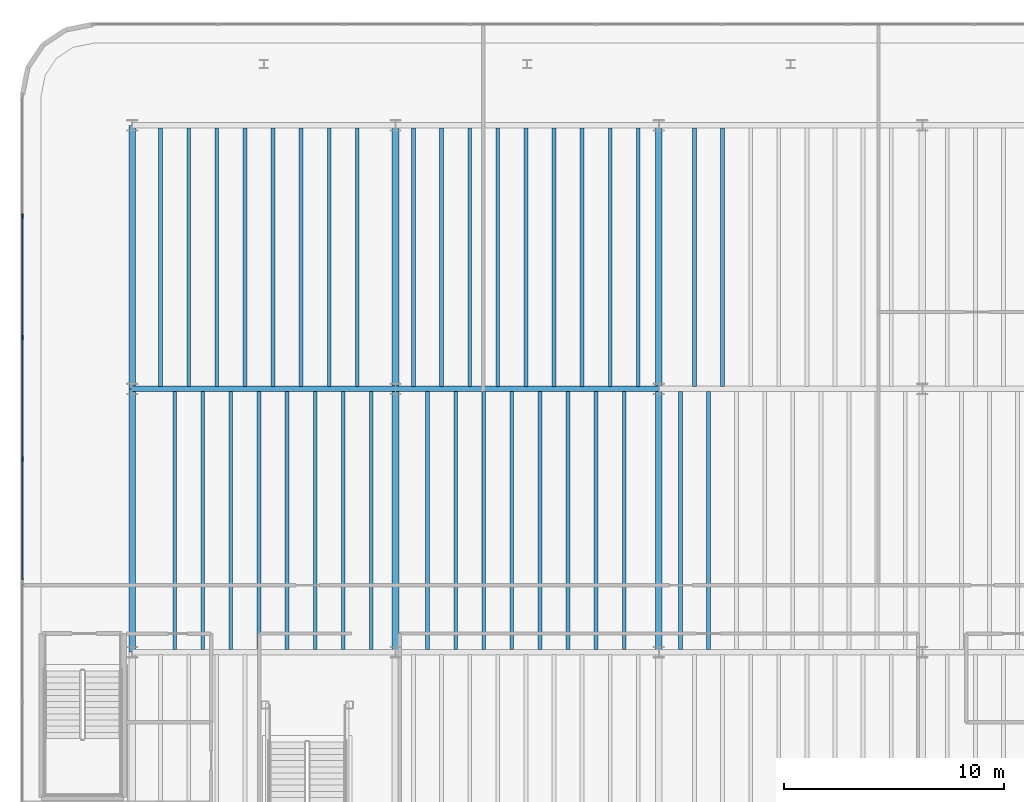
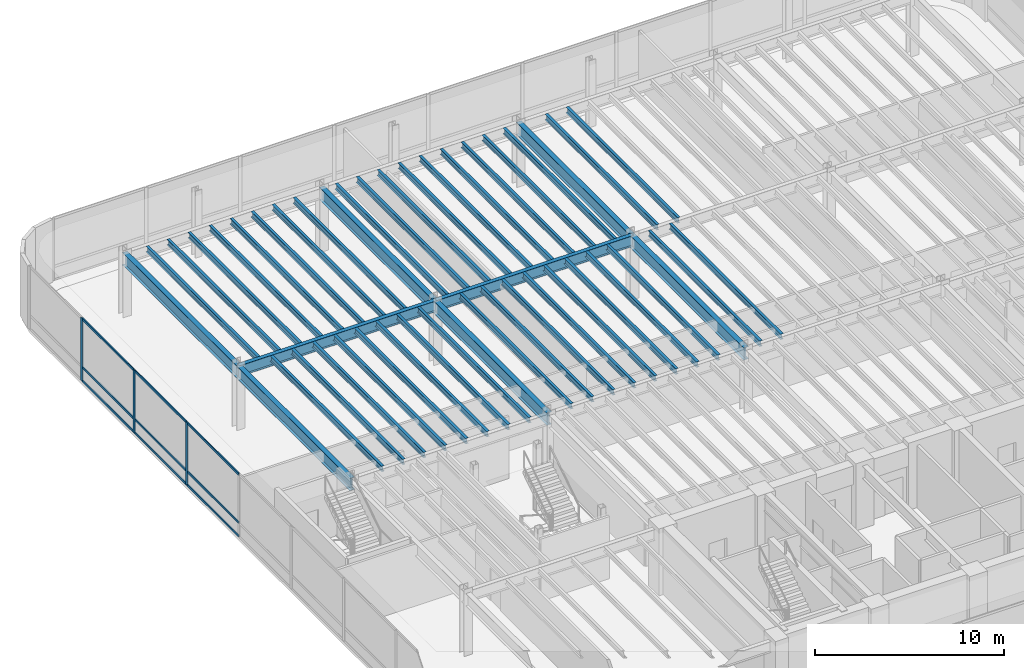
# One storey, part 8 of 19: 45 beams, 12 members, 1 element without a shape of its own.
"""IFC4 building model written with IfcOpenShell, lengths in metres."""

from ifc_helpers import new_model, si_unit, direction, frame, origin, origin_2d, place, context, subcontext, project, spatial, rectangle, i_section, extrude, source, transform, mapped, material, layer, layer_set, material_profile, profile_set, type_object, element, aggregate, save


model = new_model("IFC4")

# Units and contexts
model_context = context("Model", 3, precision=1e-05, world=origin(), true_north=direction((0.0, 1.0)))
body_context = subcontext(model_context, "Body", "Model", "MODEL_VIEW")
ifc_project = project(units=[si_unit("LENGTHUNIT", "METRE"), si_unit("AREAUNIT", "SQUARE_METRE"), si_unit("VOLUMEUNIT", "CUBIC_METRE"), si_unit("PLANEANGLEUNIT", "RADIAN"), si_unit("MASSUNIT", "GRAM", prefix="KILO")], contexts=[model_context])

# Site, building, storey
site_placement = place(None, origin())
site = spatial("IfcSite", under=ifc_project, at=site_placement, CompositionType="ELEMENT")
building_placement = place(site_placement, origin())
building = spatial("IfcBuilding", under=site, at=building_placement, Name="Brelvock Crest Care Tower", CompositionType="ELEMENT")
storey_placement = place(building_placement, frame((0.0, 0.0, 14.0400390625)))
storey = spatial("IfcBuildingStorey", under=building, at=storey_placement, Name="L03", CompositionType="ELEMENT", Elevation=14.0400390625)

# Beams
ifc_material_1 = material(Name="Steel Grade 350", Category="steel")
ifc_material_profile_1 = material_profile(ifc_material_1, i_section(OverallWidth=0.300048828125, OverallDepth=0.800048828125, WebThickness=0.013916015625, FlangeThickness=0.02197265625, at=origin_2d()), Name="800WB192")
ifc_profile_set_1 = profile_set([ifc_material_profile_1], Name="Steel Grade 350")
beam_type_1 = type_object("IfcBeamType", Name="BM-G5", PredefinedType="BEAM", material=ifc_profile_set_1)
shared_shape_1 = source(origin(), body_context, "Body", "SweptSolid", [
    extrude(i_section(OverallWidth=0.300048828125, OverallDepth=0.800048828125, WebThickness=0.013916015625, FlangeThickness=0.02197265625, at=origin_2d()), origin(), (0.0, 0.0, 1.0), 12.0),
])
for number, where, z_axis, x_axis, name in (
    (1, (12.0, 30.0, 3.639892578125), (0.0, 1.0, 0.0), (-1.0, 0.0, 0.0), "BM-PODY-L03-12-30"),
    (2, (12.0, 42.0, 3.639892578125), (0.0, 1.0, 0.0), (-1.0, 0.0, 0.0), "BM-PODY-L03-12-42"),
    (3, (24.0, 30.0, 3.639892578125), (0.0, 1.0, 0.0), (-1.0, 0.0, 0.0), "BM-PODY-L03-24-30"),
    (4, (24.0, 42.0, 3.639892578125), (0.0, 1.0, 0.0), (-1.0, 0.0, 0.0), "BM-PODY-L03-24-42"),
    (5, (36.0, 30.0, 3.639892578125), (0.0, 1.0, 0.0), (-1.0, 0.0, 0.0), "BM-PODY-L03-36-30"),
    (6, (36.0, 42.0, 3.639892578125), (0.0, 1.0, 0.0), (-1.0, 0.0, 0.0), "BM-PODY-L03-36-42"),
):
    element("IfcBeam", number, at=place(storey_placement, frame(where, z_axis=z_axis, x_axis=x_axis)), inside=storey, type_object=beam_type_1, Name=name, PredefinedType="BEAM", context=body_context, shape_type="MappedRepresentation", body=[
        mapped(shared_shape_1, transform((0.0, 0.0, 0.0), x_axis=(1.0, 0.0, 0.0), y_axis=(0.0, 1.0, 0.0), z_axis=(0.0, 0.0, 1.0), scale=1.0)),
    ])
ifc_material_profile_2 = material_profile(ifc_material_1, i_section(OverallWidth=0.172119140625, OverallDepth=0.35888671875, WebThickness=0.008056640625, FlangeThickness=0.012939453125, FilletRadius=0.011474609375, at=origin_2d()), Name="360UB56.7")
ifc_profile_set_2 = profile_set([ifc_material_profile_2], Name="Steel Grade 350")
beam_type_2 = type_object("IfcBeamType", Name="BM-J1", PredefinedType="JOIST", material=ifc_profile_set_2)
shared_shape_2 = source(origin(), body_context, "Body", "SweptSolid", [
    extrude(i_section(OverallWidth=0.172119140625, OverallDepth=0.35888671875, WebThickness=0.008056640625, FlangeThickness=0.012939453125, FilletRadius=0.011474609375, at=origin_2d()), origin(), (0.0, 0.0, 1.0), 11.77001953125),
])
for number, where, z_axis, x_axis, name in (
    (7, (13.93994140625, 30.114990234375, 3.8603515625), (0.0, 1.0, 0.0), (-1.0, 0.0, 0.0), "BM-PODJ-L03-1394-30"),
    (8, (13.300048828125, 42.114990234375, 3.8603515625), (0.0, 1.0, 0.0), (-1.0, 0.0, 0.0), "BM-PODJ-L03-1330-42"),
    (9, (15.219970703125, 30.114990234375, 3.8603515625), (0.0, 1.0, 0.0), (-1.0, 0.0, 0.0), "BM-PODJ-L03-1522-30"),
    (10, (14.580078125, 42.114990234375, 3.8603515625), (0.0, 1.0, 0.0), (-1.0, 0.0, 0.0), "BM-PODJ-L03-1458-42"),
    (11, (16.5, 30.114990234375, 3.8603515625), (0.0, 1.0, 0.0), (-1.0, 0.0, 0.0), "BM-PODJ-L03-1650-30"),
    (12, (15.860107421875, 42.114990234375, 3.8603515625), (0.0, 1.0, 0.0), (-1.0, 0.0, 0.0), "BM-PODJ-L03-1586-42"),
    (13, (17.780029296875, 30.114990234375, 3.8603515625), (0.0, 1.0, 0.0), (-1.0, 0.0, 0.0), "BM-PODJ-L03-1778-30"),
    (14, (17.139892578125, 42.114990234375, 3.8603515625), (0.0, 1.0, 0.0), (-1.0, 0.0, 0.0), "BM-PODJ-L03-1714-42"),
    (15, (19.06005859375, 30.114990234375, 3.8603515625), (0.0, 1.0, 0.0), (-1.0, 0.0, 0.0), "BM-PODJ-L03-1906-30"),
    (16, (18.419921875, 42.114990234375, 3.8603515625), (0.0, 1.0, 0.0), (-1.0, 0.0, 0.0), "BM-PODJ-L03-1842-42"),
    (17, (20.340087890625, 30.114990234375, 3.8603515625), (0.0, 1.0, 0.0), (-1.0, 0.0, 0.0), "BM-PODJ-L03-2034-30"),
    (18, (19.699951171875, 42.114990234375, 3.8603515625), (0.0, 1.0, 0.0), (-1.0, 0.0, 0.0), "BM-PODJ-L03-1970-42"),
    (19, (21.6201171875, 30.114990234375, 3.8603515625), (0.0, 1.0, 0.0), (-1.0, 0.0, 0.0), "BM-PODJ-L03-2162-30"),
    (20, (20.97998046875, 42.114990234375, 3.8603515625), (0.0, 1.0, 0.0), (-1.0, 0.0, 0.0), "BM-PODJ-L03-2098-42"),
    (21, (22.89990234375, 30.114990234375, 3.8603515625), (0.0, 1.0, 0.0), (-1.0, 0.0, 0.0), "BM-PODJ-L03-2290-30"),
    (22, (22.260009765625, 42.114990234375, 3.8603515625), (0.0, 1.0, 0.0), (-1.0, 0.0, 0.0), "BM-PODJ-L03-2226-42"),
    (23, (25.4599609375, 30.114990234375, 3.8603515625), (0.0, 1.0, 0.0), (-1.0, 0.0, 0.0), "BM-PODJ-L03-2546-30"),
    (24, (24.820068359375, 42.114990234375, 3.8603515625), (0.0, 1.0, 0.0), (-1.0, 0.0, 0.0), "BM-PODJ-L03-2482-42"),
    (25, (26.739990234375, 30.114990234375, 3.8603515625), (0.0, 1.0, 0.0), (-1.0, 0.0, 0.0), "BM-PODJ-L03-2674-30"),
    (26, (26.10009765625, 42.114990234375, 3.8603515625), (0.0, 1.0, 0.0), (-1.0, 0.0, 0.0), "BM-PODJ-L03-2610-42"),
    (27, (28.02001953125, 30.114990234375, 3.8603515625), (0.0, 1.0, 0.0), (-1.0, 0.0, 0.0), "BM-PODJ-L03-2802-30"),
    (28, (27.3798828125, 42.114990234375, 3.8603515625), (0.0, 1.0, 0.0), (-1.0, 0.0, 0.0), "BM-PODJ-L03-2738-42"),
    (29, (29.300048828125, 30.114990234375, 3.8603515625), (0.0, 1.0, 0.0), (-1.0, 0.0, 0.0), "BM-PODJ-L03-2930-30"),
    (30, (28.659912109375, 42.114990234375, 3.8603515625), (0.0, 1.0, 0.0), (-1.0, 0.0, 0.0), "BM-PODJ-L03-2866-42"),
    (31, (30.580078125, 30.114990234375, 3.8603515625), (0.0, 1.0, 0.0), (-1.0, 0.0, 0.0), "BM-PODJ-L03-3058-30"),
    (32, (29.93994140625, 42.114990234375, 3.8603515625), (0.0, 1.0, 0.0), (-1.0, 0.0, 0.0), "BM-PODJ-L03-2994-42"),
    (33, (31.860107421875, 30.114990234375, 3.8603515625), (0.0, 1.0, 0.0), (-1.0, 0.0, 0.0), "BM-PODJ-L03-3186-30"),
    (34, (31.219970703125, 42.114990234375, 3.8603515625), (0.0, 1.0, 0.0), (-1.0, 0.0, 0.0), "BM-PODJ-L03-3122-42"),
    (35, (33.139892578125, 30.114990234375, 3.8603515625), (0.0, 1.0, 0.0), (-1.0, 0.0, 0.0), "BM-PODJ-L03-3314-30"),
    (36, (32.5, 42.114990234375, 3.8603515625), (0.0, 1.0, 0.0), (-1.0, 0.0, 0.0), "BM-PODJ-L03-3250-42"),
    (37, (34.419921875, 30.114990234375, 3.8603515625), (0.0, 1.0, 0.0), (-1.0, 0.0, 0.0), "BM-PODJ-L03-3442-30"),
    (38, (33.780029296875, 42.114990234375, 3.8603515625), (0.0, 1.0, 0.0), (-1.0, 0.0, 0.0), "BM-PODJ-L03-3378-42"),
    (39, (35.06005859375, 42.114990234375, 3.8603515625), (0.0, 1.0, 0.0), (-1.0, 0.0, 0.0), "BM-PODJ-L03-3506-42"),
    (40, (36.97998046875, 30.114990234375, 3.8603515625), (0.0, 1.0, 0.0), (-1.0, 0.0, 0.0), "BM-PODJ-L03-3698-30"),
    (41, (38.260009765625, 30.114990234375, 3.8603515625), (0.0, 1.0, 0.0), (-1.0, 0.0, 0.0), "BM-PODJ-L03-3826-30"),
    (42, (37.6201171875, 42.114990234375, 3.8603515625), (0.0, 1.0, 0.0), (-1.0, 0.0, 0.0), "BM-PODJ-L03-3762-42"),
    (43, (38.89990234375, 42.114990234375, 3.8603515625), (0.0, 1.0, 0.0), (-1.0, 0.0, 0.0), "BM-PODJ-L03-3890-42"),
):
    element("IfcBeam", number, at=place(storey_placement, frame(where, z_axis=z_axis, x_axis=x_axis)), inside=storey, type_object=beam_type_2, Name=name, PredefinedType="JOIST", context=body_context, shape_type="MappedRepresentation", body=[
        mapped(shared_shape_2, transform((0.0, 0.0, 0.0), x_axis=(1.0, 0.0, 0.0), y_axis=(0.0, 1.0, 0.0), z_axis=(0.0, 0.0, 1.0), scale=1.0)),
    ])
ifc_material_profile_3 = material_profile(ifc_material_1, i_section(OverallWidth=0.25, OverallDepth=0.699951171875, WebThickness=0.011962890625, FlangeThickness=0.02001953125, at=origin_2d()), Name="700WB150")
ifc_profile_set_3 = profile_set([ifc_material_profile_3], Name="Steel Grade 350")
beam_type_3 = type_object("IfcBeamType", Name="BM-G4", PredefinedType="BEAM", material=ifc_profile_set_3)
shared_shape_3 = source(origin(), body_context, "Body", "SweptSolid", [
    extrude(i_section(OverallWidth=0.25, OverallDepth=0.699951171875, WebThickness=0.011962890625, FlangeThickness=0.02001953125, at=origin_2d()), origin(), (0.0, 0.0, 1.0), 12.0),
])
for number, where, z_axis, x_axis, name in (
    (44, (12.0, 42.0, 3.68994140625), (1.0, 0.0, 0.0), (0.0, 1.0, 0.0), "BM-PODX-L03-42-12"),
    (45, (24.0, 42.0, 3.68994140625), (1.0, 0.0, 0.0), (0.0, 1.0, 0.0), "BM-PODX-L03-42-24"),
):
    element("IfcBeam", number, at=place(storey_placement, frame(where, z_axis=z_axis, x_axis=x_axis)), inside=storey, type_object=beam_type_3, Name=name, PredefinedType="BEAM", context=body_context, shape_type="MappedRepresentation", body=[
        mapped(shared_shape_3, transform((0.0, 0.0, 0.0), x_axis=(1.0, 0.0, 0.0), y_axis=(0.0, 1.0, 0.0), z_axis=(0.0, 0.0, 1.0), scale=1.0)),
    ])

# Curtain wall, members
ifc_material_2 = material(Name="Dark Glass Double Glazed Low-E", Category="glass")
ifc_layer = layer(ifc_material_2, 0.179931640625, Name="CWS-1")
ifc_layer_set = layer_set([ifc_layer], Name="Dark Glass Double Glazed Low-E")
curtain_wall_type = type_object("IfcCurtainWallType", Name="CWS-1", PredefinedType="NOTDEFINED", material=ifc_layer_set)
curtain_wall_placement = place(storey_placement, origin())
curtain_wall = element("IfcCurtainWall", 46, at=curtain_wall_placement, inside=storey, type_object=curtain_wall_type, Name="L03 Curtain Wall E04", PredefinedType="NOTDEFINED")
ifc_material_3 = material(Name="Aluminium 6063-T6", Category="aluminium")
ifc_material_profile_4 = material_profile(ifc_material_3, rectangle(XDim=0.06494140625, YDim=0.199951171875, at=origin_2d()), Name="ALU65x200")
ifc_profile_set_4 = profile_set([ifc_material_profile_4], Name="Aluminium 6063-T6")
member_type_1 = type_object("IfcMemberType", Name="CWM-1", PredefinedType="MULLION", material=ifc_profile_set_4)
shared_shape_4 = source(origin(), body_context, "Body", "SweptSolid", [
    extrude(rectangle(XDim=0.06494140625, YDim=0.199951171875, at=origin_2d()), origin(), (0.0, 0.0, 1.0), 4.0400390625),
])
member_1_placement = place(storey_placement, frame((7.0, 38.800048828125, 0.0), z_axis=(0.0, 0.0, 1.0), x_axis=(-1.0, 0.0, 0.0)))
member_1 = element("IfcMember", 47, at=member_1_placement, type_object=member_type_1, Name="CW-1 mullion 7", PredefinedType="MULLION", context=body_context, shape_type="MappedRepresentation", body=[
    mapped(shared_shape_4, transform((0.0, 0.0, 0.0), x_axis=(1.0, 0.0, 0.0), y_axis=(0.0, 1.0, 0.0), z_axis=(0.0, 0.0, 1.0), scale=1.0)),
])
member_2_placement = place(storey_placement, frame((7.0, 44.333251953125, 0.0), z_axis=(0.0, 0.0, 1.0), x_axis=(-1.0, 0.0, 0.0)))
member_2 = element("IfcMember", 48, at=member_2_placement, type_object=member_type_1, Name="CW-1 mullion 8", PredefinedType="MULLION", context=body_context, shape_type="MappedRepresentation", body=[
    mapped(shared_shape_4, transform((0.0, 0.0, 0.0), x_axis=(1.0, 0.0, 0.0), y_axis=(0.0, 1.0, 0.0), z_axis=(0.0, 0.0, 1.0), scale=1.0)),
])
member_3_placement = place(storey_placement, frame((7.0, 49.86669921875, 0.0), z_axis=(0.0, 0.0, 1.0), x_axis=(-1.0, 0.0, 0.0)))
member_3 = element("IfcMember", 49, at=member_3_placement, type_object=member_type_1, Name="CW-1 mullion 9", PredefinedType="MULLION", context=body_context, shape_type="MappedRepresentation", body=[
    mapped(shared_shape_4, transform((0.0, 0.0, 0.0), x_axis=(1.0, 0.0, 0.0), y_axis=(0.0, 1.0, 0.0), z_axis=(0.0, 0.0, 1.0), scale=1.0)),
])
ifc_material_profile_5 = material_profile(ifc_material_3, rectangle(XDim=0.06494140625, YDim=0.14990234375, at=origin_2d()), Name="ALU65x150")
ifc_profile_set_5 = profile_set([ifc_material_profile_5], Name="Aluminium 6063-T6")
member_type_2 = type_object("IfcMemberType", Name="CWT-1", PredefinedType="USERDEFINED", material=ifc_profile_set_5)
shared_shape_5 = source(origin(), body_context, "Body", "SweptSolid", [
    extrude(rectangle(XDim=0.06494140625, YDim=0.14990234375, at=origin_2d()), origin(), (0.0, 0.0, 1.0), 5.468505859375),
])
member_4_placement = place(storey_placement, frame((7.0, 33.299072265625, 0.032470703125), z_axis=(0.0, 1.0, 0.0), x_axis=(-1.0, 0.0, 0.0)))
member_4 = element("IfcMember", 50, at=member_4_placement, type_object=member_type_2, Name="CW-1 transom 6.1", ObjectType="TRANSOM", PredefinedType="USERDEFINED", context=body_context, shape_type="MappedRepresentation", body=[
    mapped(shared_shape_5, transform((0.0, 0.0, 0.0), x_axis=(1.0, 0.0, 0.0), y_axis=(0.0, 1.0, 0.0), z_axis=(0.0, 0.0, 1.0), scale=1.0)),
])
member_5_placement = place(storey_placement, frame((7.0, 33.299072265625, 0.89990234375), z_axis=(0.0, 1.0, 0.0), x_axis=(-1.0, 0.0, 0.0)))
member_5 = element("IfcMember", 51, at=member_5_placement, type_object=member_type_2, Name="CW-1 transom 6.2", ObjectType="TRANSOM", PredefinedType="USERDEFINED", context=body_context, shape_type="MappedRepresentation", body=[
    mapped(shared_shape_5, transform((0.0, 0.0, 0.0), x_axis=(1.0, 0.0, 0.0), y_axis=(0.0, 1.0, 0.0), z_axis=(0.0, 0.0, 1.0), scale=1.0)),
])
member_6_placement = place(storey_placement, frame((7.0, 33.299072265625, 4.007568359375), z_axis=(0.0, 1.0, 0.0), x_axis=(-1.0, 0.0, 0.0)))
member_6 = element("IfcMember", 52, at=member_6_placement, type_object=member_type_2, Name="CW-1 transom 6.3", ObjectType="TRANSOM", PredefinedType="USERDEFINED", context=body_context, shape_type="MappedRepresentation", body=[
    mapped(shared_shape_5, transform((0.0, 0.0, 0.0), x_axis=(1.0, 0.0, 0.0), y_axis=(0.0, 1.0, 0.0), z_axis=(0.0, 0.0, 1.0), scale=1.0)),
])
member_7_placement = place(storey_placement, frame((7.0, 44.36572265625, 0.032470703125), z_axis=(0.0, 1.0, 0.0), x_axis=(-1.0, 0.0, 0.0)))
member_7 = element("IfcMember", 53, at=member_7_placement, type_object=member_type_2, Name="CW-1 transom 8.1", ObjectType="TRANSOM", PredefinedType="USERDEFINED", context=body_context, shape_type="MappedRepresentation", body=[
    mapped(shared_shape_5, transform((0.0, 0.0, 0.0), x_axis=(1.0, 0.0, 0.0), y_axis=(0.0, 1.0, 0.0), z_axis=(0.0, 0.0, 1.0), scale=1.0)),
])
member_8_placement = place(storey_placement, frame((7.0, 44.36572265625, 0.89990234375), z_axis=(0.0, 1.0, 0.0), x_axis=(-1.0, 0.0, 0.0)))
member_8 = element("IfcMember", 54, at=member_8_placement, type_object=member_type_2, Name="CW-1 transom 8.2", ObjectType="TRANSOM", PredefinedType="USERDEFINED", context=body_context, shape_type="MappedRepresentation", body=[
    mapped(shared_shape_5, transform((0.0, 0.0, 0.0), x_axis=(1.0, 0.0, 0.0), y_axis=(0.0, 1.0, 0.0), z_axis=(0.0, 0.0, 1.0), scale=1.0)),
])
member_9_placement = place(storey_placement, frame((7.0, 44.36572265625, 4.007568359375), z_axis=(0.0, 1.0, 0.0), x_axis=(-1.0, 0.0, 0.0)))
member_9 = element("IfcMember", 55, at=member_9_placement, type_object=member_type_2, Name="CW-1 transom 8.3", ObjectType="TRANSOM", PredefinedType="USERDEFINED", context=body_context, shape_type="MappedRepresentation", body=[
    mapped(shared_shape_5, transform((0.0, 0.0, 0.0), x_axis=(1.0, 0.0, 0.0), y_axis=(0.0, 1.0, 0.0), z_axis=(0.0, 0.0, 1.0), scale=1.0)),
])
shared_shape_6 = source(origin(), body_context, "Body", "SweptSolid", [
    extrude(rectangle(XDim=0.06494140625, YDim=0.14990234375, at=origin_2d()), origin(), (0.0, 0.0, 1.0), 5.46826171875),
])
member_10_placement = place(storey_placement, frame((7.0, 38.83251953125, 0.032470703125), z_axis=(0.0, 1.0, 0.0), x_axis=(-1.0, 0.0, 0.0)))
member_10 = element("IfcMember", 56, at=member_10_placement, type_object=member_type_2, Name="CW-1 transom 7.1", ObjectType="TRANSOM", PredefinedType="USERDEFINED", context=body_context, shape_type="MappedRepresentation", body=[
    mapped(shared_shape_6, transform((0.0, 0.0, 0.0), x_axis=(1.0, 0.0, 0.0), y_axis=(0.0, 1.0, 0.0), z_axis=(0.0, 0.0, 1.0), scale=1.0)),
])
member_11_placement = place(storey_placement, frame((7.0, 38.83251953125, 0.89990234375), z_axis=(0.0, 1.0, 0.0), x_axis=(-1.0, 0.0, 0.0)))
member_11 = element("IfcMember", 57, at=member_11_placement, type_object=member_type_2, Name="CW-1 transom 7.2", ObjectType="TRANSOM", PredefinedType="USERDEFINED", context=body_context, shape_type="MappedRepresentation", body=[
    mapped(shared_shape_6, transform((0.0, 0.0, 0.0), x_axis=(1.0, 0.0, 0.0), y_axis=(0.0, 1.0, 0.0), z_axis=(0.0, 0.0, 1.0), scale=1.0)),
])
member_12_placement = place(storey_placement, frame((7.0, 38.83251953125, 4.007568359375), z_axis=(0.0, 1.0, 0.0), x_axis=(-1.0, 0.0, 0.0)))
member_12 = element("IfcMember", 58, at=member_12_placement, type_object=member_type_2, Name="CW-1 transom 7.3", ObjectType="TRANSOM", PredefinedType="USERDEFINED", context=body_context, shape_type="MappedRepresentation", body=[
    mapped(shared_shape_6, transform((0.0, 0.0, 0.0), x_axis=(1.0, 0.0, 0.0), y_axis=(0.0, 1.0, 0.0), z_axis=(0.0, 0.0, 1.0), scale=1.0)),
])
aggregate(curtain_wall, [member_1, member_2, member_3, member_4, member_5, member_6, member_10, member_11, member_12, member_7, member_8, member_9])

save(model, "model.ifc")
